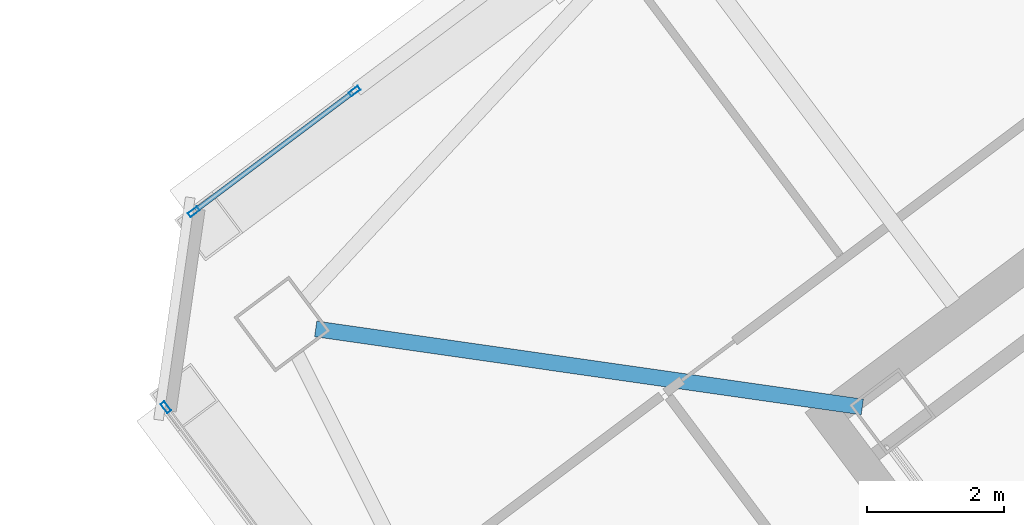
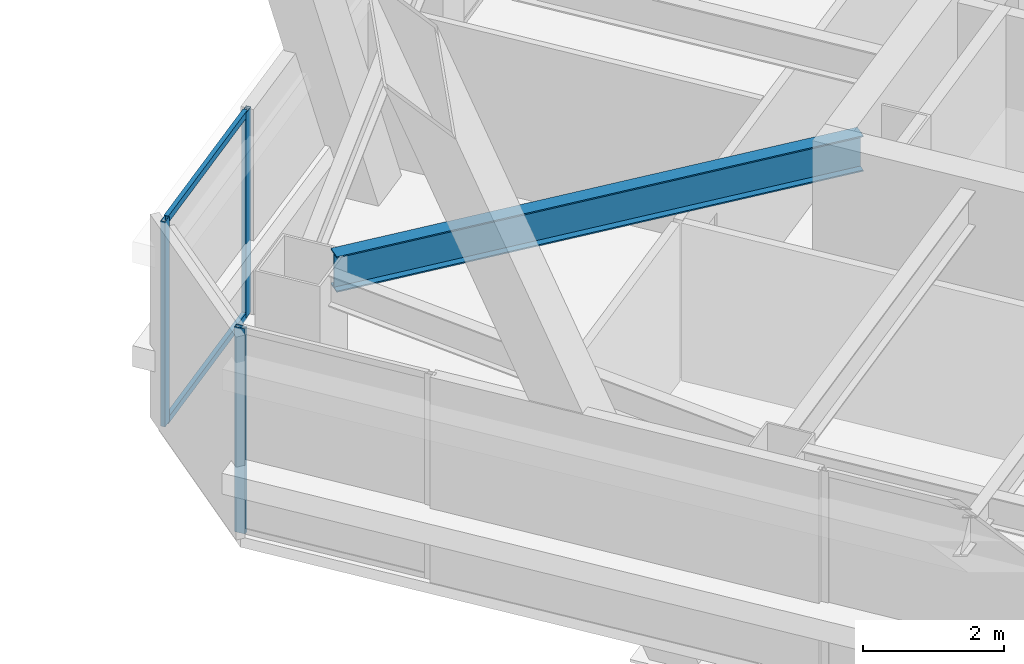
# One storey, part 32 of 56: 5 members, 1 beam, 2 elements without a shape of their own.
"""IFC4 building model written with IfcOpenShell, lengths in metres."""

from ifc_helpers import new_model, si_unit, direction, frame, origin, origin_2d, place, context, subcontext, project, spatial, hollow_rectangle, i_section, extrude, material, material_profile, profile_set, type_object, element, aggregate, save


model = new_model("IFC4")

# Units and contexts
model_context = context("Model", 3, precision=1e-05, world=origin(), true_north=direction((0.0, 1.0)))
body_context = subcontext(model_context, "Body", "Model", "MODEL_VIEW")
ifc_project = project(units=[si_unit("LENGTHUNIT", "METRE"), si_unit("AREAUNIT", "SQUARE_METRE"), si_unit("VOLUMEUNIT", "CUBIC_METRE"), si_unit("PLANEANGLEUNIT", "RADIAN"), si_unit("MASSUNIT", "GRAM", prefix="KILO")], contexts=[model_context])

# Site, building, storey
site_placement = place(None, origin())
site = spatial("IfcSite", under=ifc_project, at=site_placement, CompositionType="ELEMENT")
building_placement = place(site_placement, origin())
building = spatial("IfcBuilding", under=site, at=building_placement, Name="Tashvorn Skyway Center", CompositionType="ELEMENT")
storey_placement = place(building_placement, frame((0.0, 0.0, 218.39990234375)))
storey = spatial("IfcBuildingStorey", under=building, at=storey_placement, Name="L59", CompositionType="ELEMENT", Elevation=218.39990234375)

# Beam
ifc_material_1 = material(Name="Steel ASTM A992 Grade 50", Category="steel")
ifc_material_profile_1 = material_profile(ifc_material_1, i_section(OverallWidth=0.22998046875, OverallDepth=0.616943359375, WebThickness=0.01318359375, FlangeThickness=0.022216796875, at=origin_2d()), Name="W24X94")
ifc_profile_set_1 = profile_set([ifc_material_profile_1], Name="Steel ASTM A992 Grade 50")
beam_type = type_object("IfcBeamType", Name="BM-BEAM-W24X94", PredefinedType="BEAM", material=ifc_profile_set_1)
beam_placement = place(storey_placement, frame((95.72998046875, 34.610107421875, 3.0615234375), z_axis=(0.989947064346, -0.141438360399, 0.0), x_axis=(0.141438360399, 0.989947064346, 0.0)))
element("IfcBeam", 1, at=beam_placement, inside=storey, type_object=beam_type, Name="Tower 2 L59 Primary Floor Girder MC-NW", PredefinedType="BEAM", context=body_context, shape_type="SweptSolid", body=[
    extrude(i_section(OverallWidth=0.22998046875, OverallDepth=0.616943359375, WebThickness=0.01318359375, FlangeThickness=0.022216796875, at=origin_2d()), origin(), (0.0, 0.0, 1.0), 8.040283203125),
])

# Curtain wall, member
ifc_material_2 = material(Name="Thermally broken bronze-anodized aluminium 6063-T6", Category="aluminium")
curtain_wall_type = type_object("IfcCurtainWallType", Name="CW-CW-Z5", PredefinedType="NOTDEFINED", material=ifc_material_2)
curtain_wall_1_placement = place(storey_placement, origin())
curtain_wall_1 = element("IfcCurtainWall", 2, at=curtain_wall_1_placement, inside=storey, type_object=curtain_wall_type, Name="Tower 2 L59 West Unitised Curtain Wall Glazing Group 3", PredefinedType="NOTDEFINED")
ifc_material_profile_2 = material_profile(ifc_material_2, hollow_rectangle(XDim=0.070068359375, YDim=0.1650390625, WallThickness=0.00390625, at=origin_2d()), Name="ALU-MULL-70x165")
ifc_profile_set_2 = profile_set([ifc_material_profile_2], Name="Thermally broken bronze-anodized aluminium 6063-T6")
member_type_1 = type_object("IfcMemberType", Name="CWM-CW-Z5", PredefinedType="MULLION", material=ifc_profile_set_2)
member_1_placement = place(storey_placement, frame((93.549072265625, 33.468017578125, 0.0), z_axis=(0.0, 0.0, 1.0), x_axis=(-0.799999999998, -0.600000000002, 0.0)))
member_1 = element("IfcMember", 3, at=member_1_placement, type_object=member_type_1, Name="CW-Z5 mullion 2", PredefinedType="MULLION", context=body_context, shape_type="SweptSolid", body=[
    extrude(hollow_rectangle(XDim=0.070068359375, YDim=0.1650390625, WallThickness=0.00390625, at=origin_2d()), origin(), (0.0, 0.0, 1.0), 3.550048828125),
])
aggregate(curtain_wall_1, [member_1])

# Curtain wall, members
curtain_wall_2_placement = place(storey_placement, origin())
curtain_wall_2 = element("IfcCurtainWall", 4, at=curtain_wall_2_placement, inside=storey, type_object=curtain_wall_type, Name="Tower 2 L59 North Unitised Curtain Wall Glazing Group 1", PredefinedType="NOTDEFINED")
member_2_placement = place(storey_placement, frame((93.9560546875, 36.31689453125, 0.0), z_axis=(0.0, 0.0, 1.0), x_axis=(-0.600000000002, 0.799999999998, 0.0)))
member_2 = element("IfcMember", 5, at=member_2_placement, type_object=member_type_1, Name="CW-Z5 mullion 1", PredefinedType="MULLION", context=body_context, shape_type="SweptSolid", body=[
    extrude(hollow_rectangle(XDim=0.070068359375, YDim=0.1650390625, WallThickness=0.00390625, at=origin_2d()), origin(), (0.0, 0.0, 1.0), 3.550048828125),
])
member_3_placement = place(storey_placement, frame((96.29638671875, 38.072265625, 0.0), z_axis=(0.0, 0.0, 1.0), x_axis=(-0.600000000002, 0.799999999998, 0.0)))
member_3 = element("IfcMember", 6, at=member_3_placement, type_object=member_type_1, Name="CW-Z5 mullion 2", PredefinedType="MULLION", context=body_context, shape_type="SweptSolid", body=[
    extrude(hollow_rectangle(XDim=0.070068359375, YDim=0.1650390625, WallThickness=0.00390625, at=origin_2d()), origin(), (0.0, 0.0, 1.0), 3.550048828125),
])
ifc_material_profile_3 = material_profile(ifc_material_2, hollow_rectangle(XDim=0.070068359375, YDim=0.114990234375, WallThickness=0.00390625, at=origin_2d()), Name="ALU-TRAN-70x115")
ifc_profile_set_3 = profile_set([ifc_material_profile_3], Name="Thermally broken bronze-anodized aluminium 6063-T6")
member_type_2 = type_object("IfcMemberType", Name="CWT-CW-Z5", PredefinedType="USERDEFINED", material=ifc_profile_set_3)
member_4_placement = place(storey_placement, frame((93.98388671875, 36.337890625, 0.03515625), z_axis=(0.799989740316, 0.600013679335, 0.0), x_axis=(-0.600013679335, 0.799989740316, 0.0)))
member_4 = element("IfcMember", 7, at=member_4_placement, type_object=member_type_2, Name="CW-Z5 transom 1.1", ObjectType="TRANSOM", PredefinedType="USERDEFINED", context=body_context, shape_type="SweptSolid", body=[
    extrude(hollow_rectangle(XDim=0.070068359375, YDim=0.114990234375, WallThickness=0.00390625, at=origin_2d()), origin(), (0.0, 0.0, 1.0), 2.85546875),
])
member_5_placement = place(storey_placement, frame((93.98388671875, 36.337890625, 3.51513671875), z_axis=(0.799989740316, 0.600013679335, 0.0), x_axis=(-0.600013679335, 0.799989740316, 0.0)))
member_5 = element("IfcMember", 8, at=member_5_placement, type_object=member_type_2, Name="CW-Z5 transom 1.2", ObjectType="TRANSOM", PredefinedType="USERDEFINED", context=body_context, shape_type="SweptSolid", body=[
    extrude(hollow_rectangle(XDim=0.070068359375, YDim=0.114990234375, WallThickness=0.00390625, at=origin_2d()), origin(), (0.0, 0.0, 1.0), 2.85546875),
])
aggregate(curtain_wall_2, [member_2, member_3, member_4, member_5])

save(model, "model.ifc")
